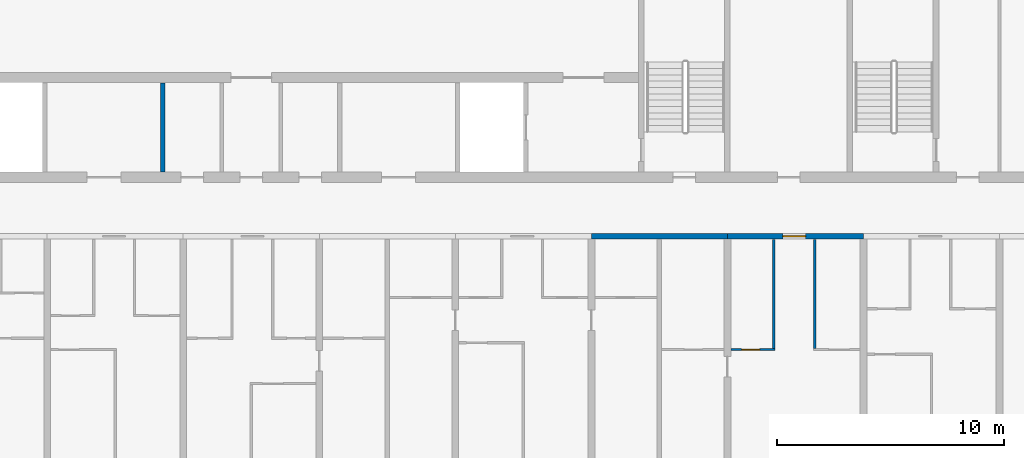
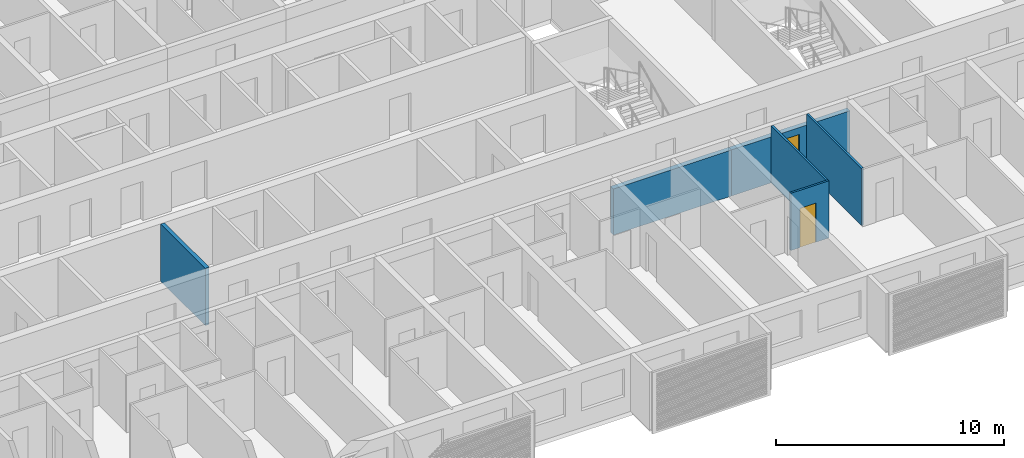
# One storey, part 6 of 33: 6 walls, 2 doors, 2 openings.
"""IFC4 building model written with IfcOpenShell, lengths in metres."""

from ifc_helpers import new_model, si_unit, direction, frame, frame_2d, origin, place, context, subcontext, project, spatial, rectangle, extrude, material, layer, layer_set, type_object, element, fill, save


model = new_model("IFC4")

# Units and contexts
model_context = context("Model", 3, precision=1e-05, world=origin(), true_north=direction((0.0, 1.0)))
body_context = subcontext(model_context, "Body", "Model", "MODEL_VIEW")
ifc_project = project(units=[si_unit("LENGTHUNIT", "METRE"), si_unit("AREAUNIT", "SQUARE_METRE"), si_unit("VOLUMEUNIT", "CUBIC_METRE"), si_unit("PLANEANGLEUNIT", "RADIAN"), si_unit("MASSUNIT", "GRAM", prefix="KILO")], contexts=[model_context])

# Site, building, storey
site_placement = place(None, origin())
site = spatial("IfcSite", under=ifc_project, at=site_placement, CompositionType="ELEMENT")
building_placement = place(site_placement, origin())
building = spatial("IfcBuilding", under=site, at=building_placement, Name="Poui Terraces", CompositionType="ELEMENT")
storey_placement = place(building_placement, frame((0.0, 0.0, 138.89990234375)))
storey = spatial("IfcBuildingStorey", under=building, at=storey_placement, Name="L38", CompositionType="ELEMENT", Elevation=138.89990234375)

# Wall
ifc_material_1 = material(Name="Concrete 65 MPa", Category="concrete")
ifc_layer_1 = layer(ifc_material_1, 0.25)
ifc_layer_set_1 = layer_set([ifc_layer_1], Name="Concrete 65 MPa")
wall_type_1 = type_object("IfcWallType", Name="CORRIDOR WALL 250 65MPa", PredefinedType="SHEAR", material=ifc_layer_set_1)
wall_1_placement = place(storey_placement, frame((66.0, 12.0, 0.0), z_axis=(0.0, 0.0, 1.0), x_axis=(1.0, 0.0, 0.0)))
element("IfcWall", 1, at=wall_1_placement, inside=storey, type_object=wall_type_1, Name="CORRIDOR WALL LINE B BAY 10", PredefinedType="SHEAR", context=body_context, shape_type="SweptSolid", body=[
    extrude(rectangle(XDim=6.0, YDim=0.25, at=frame_2d((3.0, 0.0))), origin(), (0.0, 0.0, 1.0), 2.47021484375),
])

# Wall, opening, door
wall_2_placement = place(storey_placement, frame((72.0, 12.0, 0.0), z_axis=(0.0, 0.0, 1.0), x_axis=(1.0, 0.0, 0.0)))
wall_2 = element("IfcWall", 2, at=wall_2_placement, inside=storey, type_object=wall_type_1, Name="CORRIDOR WALL LINE B BAY 11", PredefinedType="SHEAR", context=body_context, shape_type="SweptSolid", body=[
    extrude(rectangle(XDim=6.0, YDim=0.25, at=frame_2d((3.0, 0.0))), origin(), (0.0, 0.0, 1.0), 2.47021484375),
])
opening_1_placement = place(wall_2_placement, frame((2.449951171875, 0.0, 0.0)))
opening_1 = element("IfcOpeningElement", 3, at=opening_1_placement, cuts=wall_2, Name="Opening FD30S", PredefinedType="OPENING", context=body_context, shape_type="SweptSolid", body=[
    extrude(rectangle(XDim=1.0, YDim=2.10009765625, at=frame_2d((0.5, 1.050048828125))), frame((0.0, 0.135009765625, 0.0), z_axis=(0.0, -1.0, 0.0), x_axis=(1.0, 0.0, 0.0)), (0.0, 0.0, 1.0), 0.27001953125),
])
ifc_material_2 = material(Name="Steel fire door", Category="steel")
door_type_1 = type_object("IfcDoorType", Name="FLAT ENTRANCE DOOR 1000 X 2100", OperationType="NOTDEFINED", PredefinedType="DOOR", material=ifc_material_2)
door_1_placement = place(opening_1_placement, frame((1.0, 0.0, 0.0), z_axis=(0.0, 0.0, 1.0), x_axis=(-1.0, 0.0, 0.0)))
door_1 = element("IfcDoor", 4, at=door_1_placement, inside=storey, type_object=door_type_1, Name="FLAT ENTRANCE DOOR 110", OperationType="SINGLE_SWING_RIGHT", OverallHeight=2.10009765625, OverallWidth=1.0, PredefinedType="DOOR", context=body_context, shape_type="SweptSolid", body=[
    extrude(rectangle(XDim=1.0, YDim=2.10009765625, at=frame_2d((0.5, 1.050048828125))), frame((0.0, 0.02490234375, 0.0), z_axis=(0.0, -1.0, 0.0), x_axis=(1.0, 0.0, 0.0)), (0.0, 0.0, 1.0), 0.050048828125),
])
fill(opening_1, door_1)

ifc_material_3 = material(Name="Plasterboard partition")
ifc_layer_2 = layer(ifc_material_3, 0.10009765625)
ifc_layer_set_2 = layer_set([ifc_layer_2], Name="Plasterboard partition")
wall_type_2 = type_object("IfcWallType", Name="FLAT PARTITION 100", PredefinedType="PARTITIONING", material=ifc_layer_set_2)
wall_3_placement = place(storey_placement, frame((72.159912109375, 7.0, 0.0), z_axis=(0.0, 0.0, 1.0), x_axis=(1.0, 0.0, 0.0)))
wall_3 = element("IfcWall", 5, at=wall_3_placement, inside=storey, type_object=wall_type_2, Name="FLAT PARTITION 100", PredefinedType="PARTITIONING", context=body_context, shape_type="SweptSolid", body=[
    extrude(rectangle(XDim=1.940185546875, YDim=0.10009765625, at=frame_2d((0.97021484375, 0.0))), origin(), (0.0, 0.0, 1.0), 3.070068359375),
])
opening_2_placement = place(wall_3_placement, frame((0.465087890625, 0.0, 0.0)))
opening_2 = element("IfcOpeningElement", 6, at=opening_2_placement, cuts=wall_3, Name="Opening D80", PredefinedType="OPENING", context=body_context, shape_type="SweptSolid", body=[
    extrude(rectangle(XDim=0.800048828125, YDim=2.10009765625, at=frame_2d((0.39990234375, 1.050048828125))), frame((0.0, 0.06005859375, 0.0), z_axis=(0.0, -1.0, 0.0), x_axis=(1.0, 0.0, 0.0)), (0.0, 0.0, 1.0), 0.1201171875),
])
ifc_material_4 = material(Name="Solid core timber door", Category="wood")
door_type_2 = type_object("IfcDoorType", Name="BATHROOM, LAUNDRY AND STORE DOOR 800 X 2100", OperationType="NOTDEFINED", PredefinedType="DOOR", material=ifc_material_4)
door_2_placement = place(opening_2_placement, origin())
door_2 = element("IfcDoor", 7, at=door_2_placement, inside=storey, type_object=door_type_2, Name="BATHROOM, LAUNDRY AND STORE DOOR 109", OperationType="SINGLE_SWING_LEFT", OverallHeight=2.10009765625, OverallWidth=0.800048828125, PredefinedType="DOOR", context=body_context, shape_type="SweptSolid", body=[
    extrude(rectangle(XDim=0.800048828125, YDim=2.10009765625, at=frame_2d((0.39990234375, 1.050048828125))), frame((0.0, 0.02490234375, 0.0), z_axis=(0.0, -1.0, 0.0), x_axis=(1.0, 0.0, 0.0)), (0.0, 0.0, 1.0), 0.050048828125),
])
fill(opening_2, door_2)

# Walls
for number, where, z_axis, x_axis, name in (
    (8, (74.050048828125, 7.050048828125, 0.0), (0.0, 0.0, 1.0), (0.0, 1.0, 0.0), "FLAT PARTITION 100"),
    (9, (75.85009765625, 7.050048828125, 0.0), (0.0, 0.0, 1.0), (0.0, 1.0, 0.0), "FLAT PARTITION 100"),
):
    element("IfcWall", number, at=place(storey_placement, frame(where, z_axis=z_axis, x_axis=x_axis)), inside=storey, type_object=wall_type_2, Name=name, PredefinedType="PARTITIONING", context=body_context, shape_type="SweptSolid", body=[
        extrude(rectangle(XDim=4.81494140625, YDim=0.10009765625, at=frame_2d((2.407470703125, 0.0))), origin(), (0.0, 0.0, 1.0), 3.070068359375),
    ])
ifc_material_5 = material(Name="Fire-rated masonry wall", Category="masonry")
ifc_layer_3 = layer(ifc_material_5, 0.199951171875)
ifc_layer_set_3 = layer_set([ifc_layer_3], Name="Fire-rated masonry wall")
wall_type_3 = type_object("IfcWallType", Name="PLANT ROOM WALL 200", PredefinedType="PARTITIONING", material=ifc_layer_set_3)
wall_4_placement = place(storey_placement, frame((47.10009765625, 14.8349609375, 0.0), z_axis=(0.0, 0.0, 1.0), x_axis=(0.0, 1.0, 0.0)))
element("IfcWall", 10, at=wall_4_placement, inside=storey, type_object=wall_type_3, Name="PLANT ROOM WALL 200", PredefinedType="PARTITIONING", context=body_context, shape_type="SweptSolid", body=[
    extrude(rectangle(XDim=3.929931640625, YDim=0.199951171875, at=frame_2d((1.96484375, 0.0))), origin(), (0.0, 0.0, 1.0), 3.070068359375),
])

save(model, "model.ifc")
